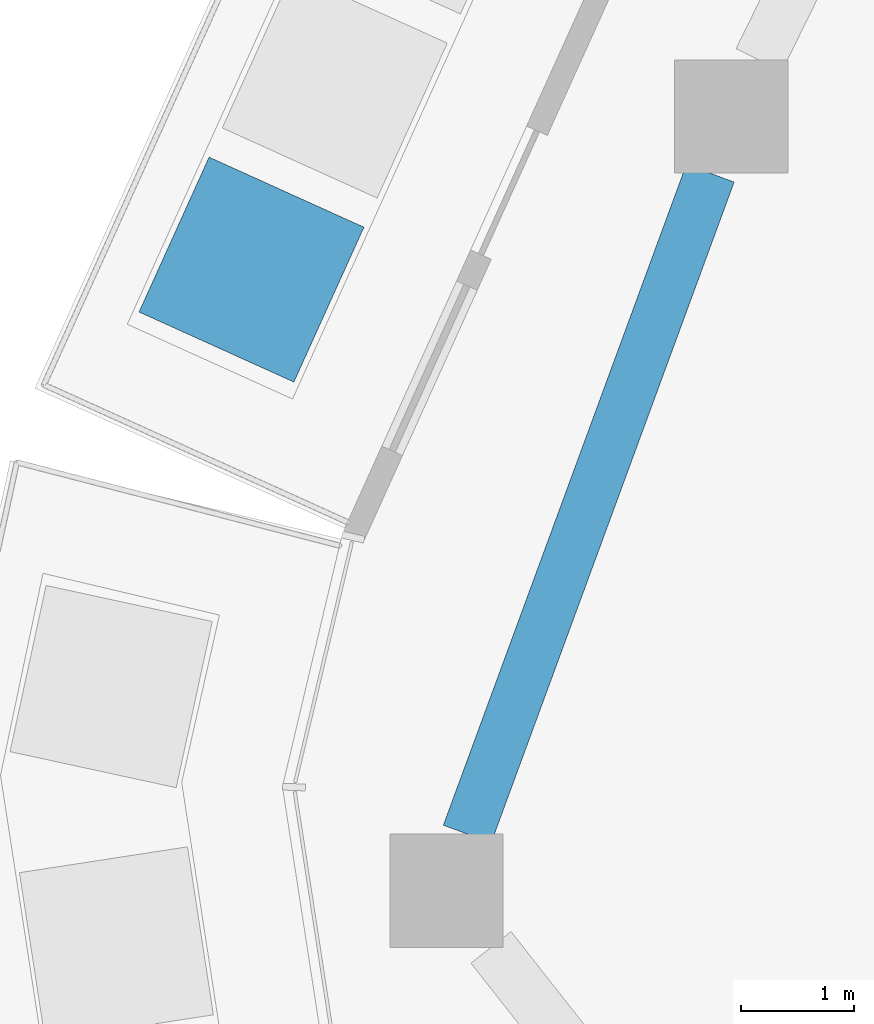
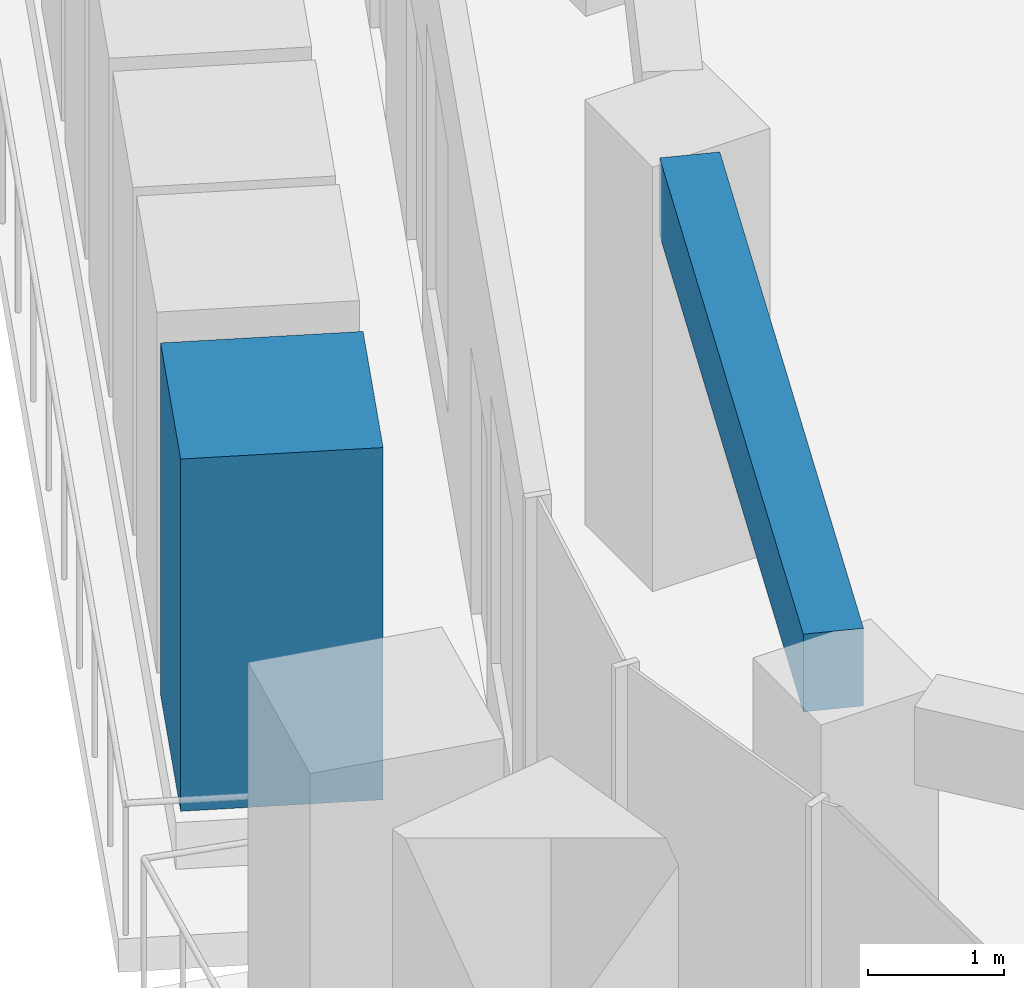
# One storey, part 3 of 23: 1 beam, 1 member.
"""IFC4 building model written with IfcOpenShell, lengths in metres."""

from ifc_helpers import new_model, si_unit, direction, frame, origin, origin_2d, place, context, subcontext, project, spatial, rectangle, extrude, material, material_profile, profile_set, type_object, element, save


model = new_model("IFC4")

# Units and contexts
model_context = context("Model", 3, precision=1e-05, world=origin(), true_north=direction((0.0, 1.0)))
body_context = subcontext(model_context, "Body", "Model", "MODEL_VIEW")
ifc_project = project(units=[si_unit("LENGTHUNIT", "METRE"), si_unit("AREAUNIT", "SQUARE_METRE"), si_unit("VOLUMEUNIT", "CUBIC_METRE"), si_unit("PLANEANGLEUNIT", "RADIAN"), si_unit("MASSUNIT", "GRAM", prefix="KILO")], contexts=[model_context])

# Site, building, storey
site_placement = place(None, origin())
site = spatial("IfcSite", under=ifc_project, at=site_placement, CompositionType="ELEMENT")
building_placement = place(site_placement, origin())
building = spatial("IfcBuilding", under=site, at=building_placement, Name="Dongbaek Canopy Tower", CompositionType="ELEMENT")
storey_placement = place(building_placement, frame((0.0, 0.0, 319.39990234375)))
storey = spatial("IfcBuildingStorey", under=building, at=storey_placement, Name="L68", CompositionType="ELEMENT", Elevation=319.39990234375)

# Beam
ifc_material_1 = material(Name="Concrete C60", Category="concrete")
ifc_material_profile_1 = material_profile(ifc_material_1, rectangle(XDim=0.449951171875, YDim=0.699951171875, at=origin_2d()), Name="RC EDGE BEAM 450x700 C60")
ifc_profile_set_1 = profile_set([ifc_material_profile_1], Name="Concrete C60")
beam_type = type_object("IfcBeamType", Name="RC EDGE BEAM 450x700 C60", PredefinedType="BEAM", material=ifc_profile_set_1)
beam_placement = place(storey_placement, frame((-30.945068359375, -6.2451171875, 3.47021484375), z_axis=(0.345138950659, 0.938551599401, 0.0), x_axis=(-0.938551599401, 0.345138950659, 0.0)))
element("IfcBeam", 1, at=beam_placement, inside=storey, type_object=beam_type, Name="EDGEBEAM:L68:08", PredefinedType="BEAM", context=body_context, shape_type="SweptSolid", body=[
    extrude(rectangle(XDim=0.449951171875, YDim=0.699951171875, at=origin_2d()), origin(), (0.0, 0.0, 1.0), 6.212890625),
])

# Member
ifc_material_2 = material(Name="Concrete C40/50 planter mass with planting", Category="concrete")
ifc_material_profile_2 = material_profile(ifc_material_2, rectangle(XDim=1.5, YDim=1.5, at=origin_2d()), Name="Terrace PLANTER shrub mass 1500 x 1500")
ifc_profile_set_2 = profile_set([ifc_material_profile_2], Name="Concrete C40/50 planter mass with planting")
member_type = type_object("IfcMemberType", Name="Terrace PLANTER shrub mass 1500 x 1500", PredefinedType="USERDEFINED", material=ifc_profile_set_2)
member_placement = place(storey_placement, frame((-32.848876953125, -1.264404296875, 0.420166015625), z_axis=(0.0, 0.0, 1.0), x_axis=(-0.911128562459, 0.412122242389, 0.0)))
element("IfcMember", 2, at=member_placement, inside=storey, type_object=member_type, Name="Planter shrubs L68 2.12", ObjectType="PLANTER", PredefinedType="USERDEFINED", context=body_context, shape_type="SweptSolid", body=[
    extrude(rectangle(XDim=1.5, YDim=1.5, at=origin_2d()), origin(), (0.0, 0.0, 1.0), 3.169921875),
])

save(model, "model.ifc")
